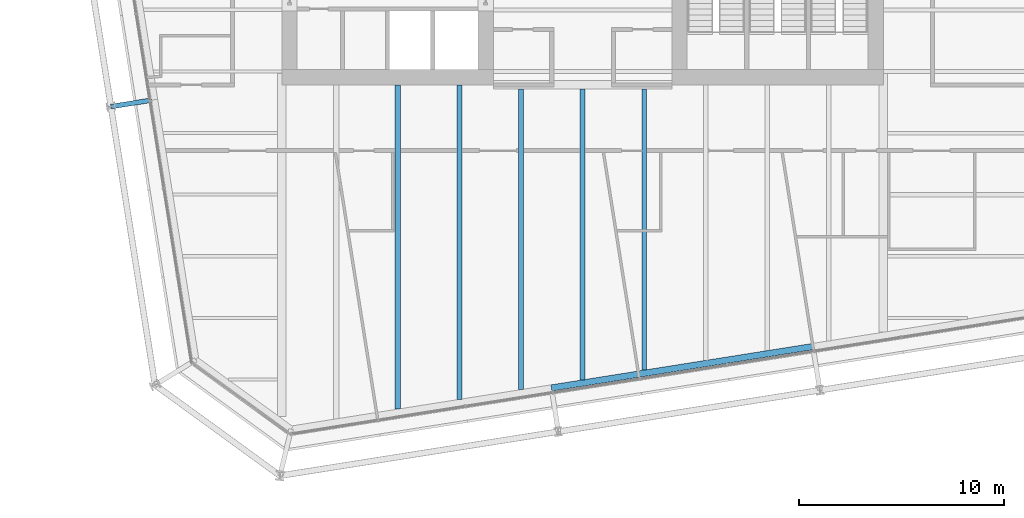
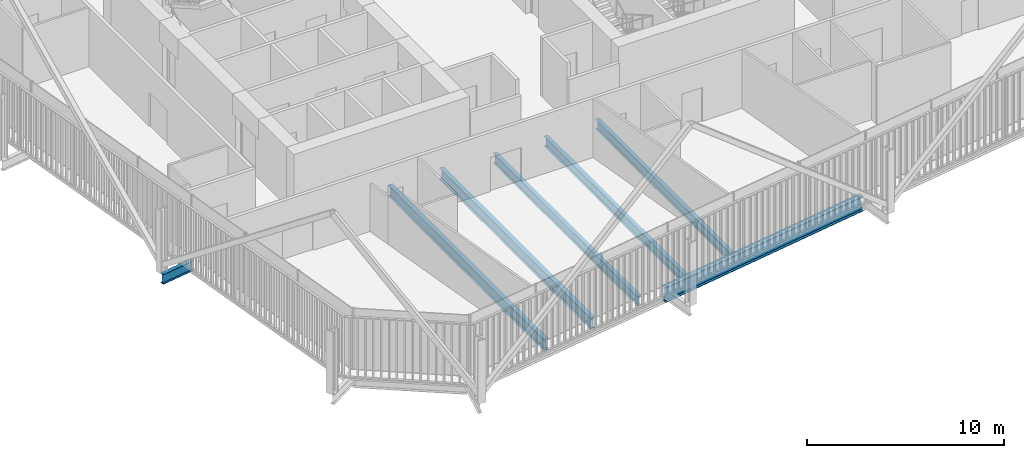
# One storey, part 3 of 22: 7 beams.
"""IFC4 building model written with IfcOpenShell, lengths in metres."""

from ifc_helpers import new_model, si_unit, direction, frame, origin, origin_2d, place, context, subcontext, project, spatial, i_section, extrude, material, material_profile, profile_set, type_object, element, save


model = new_model("IFC4")

# Units and contexts
model_context = context("Model", 3, precision=1e-05, world=origin(), true_north=direction((0.0, 1.0)))
body_context = subcontext(model_context, "Body", "Model", "MODEL_VIEW")
ifc_project = project(units=[si_unit("LENGTHUNIT", "METRE"), si_unit("AREAUNIT", "SQUARE_METRE"), si_unit("VOLUMEUNIT", "CUBIC_METRE"), si_unit("PLANEANGLEUNIT", "RADIAN"), si_unit("MASSUNIT", "GRAM", prefix="KILO")], contexts=[model_context])

# Site, building, storey
site_placement = place(None, origin())
site = spatial("IfcSite", under=ifc_project, at=site_placement, CompositionType="ELEMENT")
building_placement = place(site_placement, origin())
building = spatial("IfcBuilding", under=site, at=building_placement, Name="Millrace Tower", CompositionType="ELEMENT")
storey_placement = place(building_placement, frame((0.0, 0.0, 168.5)))
storey = spatial("IfcBuildingStorey", under=building, at=storey_placement, Name="L38", CompositionType="ELEMENT", Elevation=168.5)

# Beams
ifc_material_1 = material(Name="Steel ASTM A992 Grade 50", Category="steel")
ifc_material_profile_1 = material_profile(ifc_material_1, i_section(OverallWidth=0.228271484375, OverallDepth=0.607177734375, WebThickness=0.01123046875, FlangeThickness=0.017333984375, FilletRadius=0.0126953125, at=origin_2d()))
ifc_profile_set_1 = profile_set([ifc_material_profile_1], Name="Steel ASTM A992 Grade 50")
beam_type_1 = type_object("IfcBeamType", Name="Floor beam W24x76", PredefinedType="JOIST", material=ifc_profile_set_1)
beam_1_placement = place(storey_placement, frame((-3.0, -24.4970703125, -0.463623046875), z_axis=(0.0, 1.0, 0.0), x_axis=(-1.0, 0.0, 0.0)))
element("IfcBeam", 1, at=beam_1_placement, inside=storey, type_object=beam_type_1, Name="BM-C-L38-S1-S046", PredefinedType="JOIST", context=body_context, shape_type="SweptSolid", body=[
    extrude(i_section(OverallWidth=0.228271484375, OverallDepth=0.607177734375, WebThickness=0.01123046875, FlangeThickness=0.017333984375, FilletRadius=0.0126953125, at=origin_2d()), origin(), (0.0, 0.0, 1.0), 14.637451171875),
])
beam_2_placement = place(storey_placement, frame((0.0, -24.021728515625, -0.463623046875), z_axis=(0.0, 1.0, 0.0), x_axis=(-1.0, 0.0, 0.0)))
element("IfcBeam", 2, at=beam_2_placement, inside=storey, type_object=beam_type_1, Name="BM-C-L38-S1-S048", PredefinedType="JOIST", context=body_context, shape_type="SweptSolid", body=[
    extrude(i_section(OverallWidth=0.228271484375, OverallDepth=0.607177734375, WebThickness=0.01123046875, FlangeThickness=0.017333984375, FilletRadius=0.0126953125, at=origin_2d()), origin(), (0.0, 0.0, 1.0), 14.162109375),
])
beam_3_placement = place(storey_placement, frame((3.0, -23.546630859375, -0.463623046875), z_axis=(0.0, 1.0, 0.0), x_axis=(-1.0, 0.0, 0.0)))
element("IfcBeam", 3, at=beam_3_placement, inside=storey, type_object=beam_type_1, Name="BM-C-L38-S1-S050", PredefinedType="JOIST", context=body_context, shape_type="SweptSolid", body=[
    extrude(i_section(OverallWidth=0.228271484375, OverallDepth=0.607177734375, WebThickness=0.01123046875, FlangeThickness=0.017333984375, FilletRadius=0.0126953125, at=origin_2d()), origin(), (0.0, 0.0, 1.0), 13.68701171875),
])
ifc_material_2 = material(Name="Steel ASTM A992 Grade 50", Category="steel")
ifc_material_profile_2 = material_profile(ifc_material_2, i_section(OverallWidth=0.256591796875, OverallDepth=0.693359375, WebThickness=0.014404296875, FlangeThickness=0.023681640625, FilletRadius=0.01513671875, at=origin_2d()))
ifc_profile_set_2 = profile_set([ifc_material_profile_2], Name="Steel ASTM A992 Grade 50")
beam_type_2 = type_object("IfcBeamType", Name="Floor beam W27x114", PredefinedType="JOIST", material=ifc_profile_set_2)
beam_4_placement = place(storey_placement, frame((-9.0, -25.447265625, -0.506591796875), z_axis=(0.0, 1.0, 0.0), x_axis=(-1.0, 0.0, 0.0)))
element("IfcBeam", 4, at=beam_4_placement, inside=storey, type_object=beam_type_2, Name="BM-C-L38-S1-S042", PredefinedType="JOIST", context=body_context, shape_type="SweptSolid", body=[
    extrude(i_section(OverallWidth=0.256591796875, OverallDepth=0.693359375, WebThickness=0.014404296875, FlangeThickness=0.023681640625, FilletRadius=0.01513671875, at=origin_2d()), origin(), (0.0, 0.0, 1.0), 15.79736328125),
])
beam_5_placement = place(storey_placement, frame((-6.0, -24.97216796875, -0.506591796875), z_axis=(0.0, 1.0, 0.0), x_axis=(-1.0, 0.0, 0.0)))
element("IfcBeam", 5, at=beam_5_placement, inside=storey, type_object=beam_type_2, Name="BM-C-L38-S1-S044", PredefinedType="JOIST", context=body_context, shape_type="SweptSolid", body=[
    extrude(i_section(OverallWidth=0.256591796875, OverallDepth=0.693359375, WebThickness=0.014404296875, FlangeThickness=0.023681640625, FilletRadius=0.01513671875, at=origin_2d()), origin(), (0.0, 0.0, 1.0), 15.322265625),
])
ifc_material_3 = material(Name="Steel ASTM A992 Grade 50", Category="steel")
ifc_material_profile_3 = material_profile(ifc_material_3, i_section(OverallWidth=0.23046875, OverallDepth=0.6171875, WebThickness=0.01318359375, FlangeThickness=0.022216796875, FilletRadius=0.012939453125, at=origin_2d()))
ifc_profile_set_3 = profile_set([ifc_material_profile_3], Name="Steel ASTM A992 Grade 50")
beam_type_3 = type_object("IfcBeamType", Name="Link beam W24x94", PredefinedType="BEAM", material=ifc_profile_set_3)
beam_6_placement = place(storey_placement, frame((-21.001708984375, -10.396728515625, -0.468505859375), z_axis=(-0.987678691416, -0.156495375404, 0.0), x_axis=(0.156495375404, -0.987678691416, 0.0)))
element("IfcBeam", 6, at=beam_6_placement, inside=storey, type_object=beam_type_3, Name="LNK-C-L38-S1-02", PredefinedType="BEAM", context=body_context, shape_type="SweptSolid", body=[
    extrude(i_section(OverallWidth=0.23046875, OverallDepth=0.6171875, WebThickness=0.01318359375, FlangeThickness=0.022216796875, FilletRadius=0.012939453125, at=origin_2d()), origin(), (0.0, 0.0, 1.0), 2.0),
])
ifc_material_4 = material(Name="Steel ASTM A992 Grade 50", Category="steel")
ifc_material_profile_4 = material_profile(ifc_material_4, i_section(OverallWidth=0.307373046875, OverallDepth=0.927001953125, WebThickness=0.01953125, FlangeThickness=0.031982421875, FilletRadius=0.01904296875, at=origin_2d()))
ifc_profile_set_4 = profile_set([ifc_material_profile_4], Name="Steel ASTM A992 Grade 50")
beam_type_4 = type_object("IfcBeamType", Name="Ring beam medium span W36x194", PredefinedType="SPANDREL", material=ifc_profile_set_4)
beam_7_placement = place(storey_placement, frame((11.22265625, -22.39990234375, -0.62353515625), z_axis=(-0.987687196578, -0.156441687909, 0.0), x_axis=(0.156441687909, -0.987687196578, 0.0)))
element("IfcBeam", 7, at=beam_7_placement, inside=storey, type_object=beam_type_4, Name="RNG-C-L38-S1-14", PredefinedType="SPANDREL", context=body_context, shape_type="SweptSolid", body=[
    extrude(i_section(OverallWidth=0.307373046875, OverallDepth=0.927001953125, WebThickness=0.01953125, FlangeThickness=0.031982421875, FilletRadius=0.01904296875, at=origin_2d()), origin(), (0.0, 0.0, 1.0), 12.89990234375),
])

save(model, "model.ifc")
